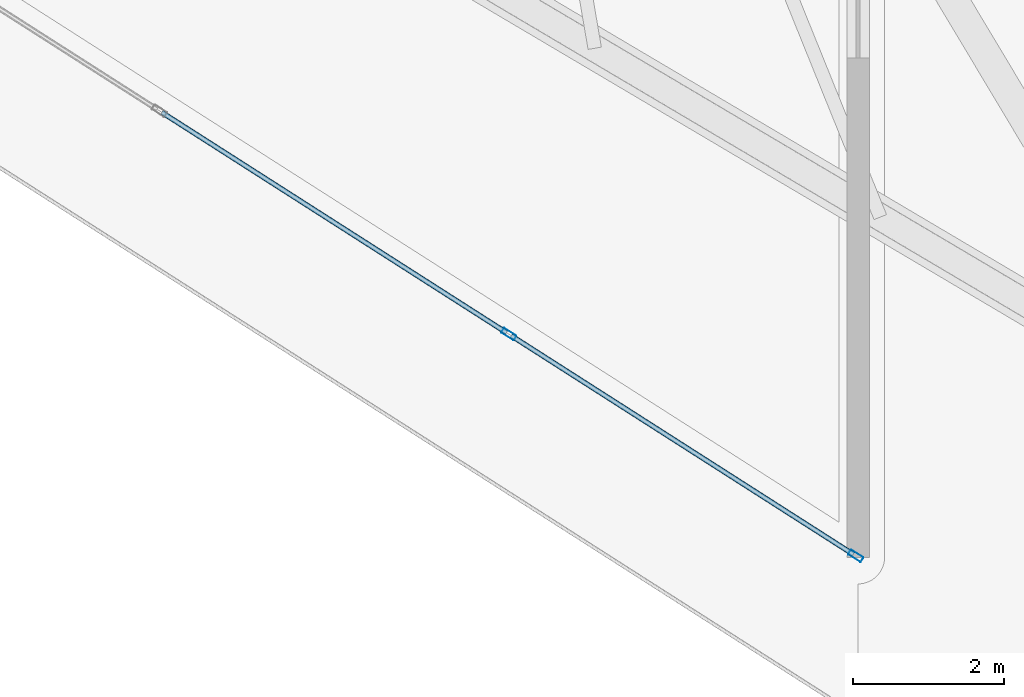
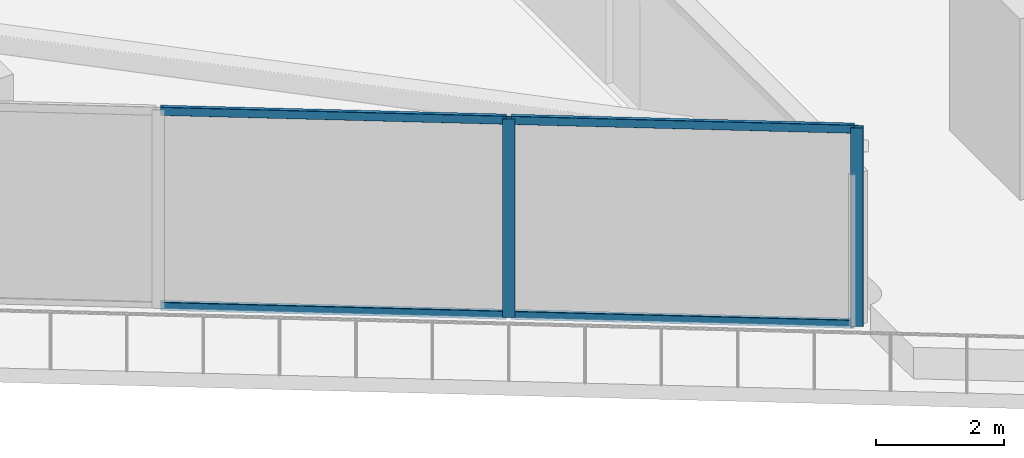
# One storey, part 8 of 43: 6 members, 1 element without a shape of its own.
"""IFC4 building model written with IfcOpenShell, lengths in metres."""

from ifc_helpers import new_model, si_unit, direction, frame, origin, origin_2d, place, context, subcontext, project, spatial, hollow_rectangle, extrude, material, layer, layer_set, material_profile, profile_set, type_object, element, aggregate, save


model = new_model("IFC4")

# Units and contexts
model_context = context("Model", 3, precision=1e-05, world=origin(), true_north=direction((0.0, 1.0)))
body_context = subcontext(model_context, "Body", "Model", "MODEL_VIEW")
ifc_project = project(units=[si_unit("LENGTHUNIT", "METRE"), si_unit("AREAUNIT", "SQUARE_METRE"), si_unit("VOLUMEUNIT", "CUBIC_METRE"), si_unit("PLANEANGLEUNIT", "RADIAN"), si_unit("MASSUNIT", "GRAM", prefix="KILO")], contexts=[model_context])

# Site, building, storey
site_placement = place(None, origin())
site = spatial("IfcSite", under=ifc_project, at=site_placement, CompositionType="ELEMENT")
building_placement = place(site_placement, origin())
building = spatial("IfcBuilding", under=site, at=building_placement, Name="Qorvath Tower", CompositionType="ELEMENT")
storey_placement = place(building_placement, frame((0.0, 0.0, 150.300048828125)))
storey = spatial("IfcBuildingStorey", under=building, at=storey_placement, Name="L34", CompositionType="ELEMENT", Elevation=150.300048828125)

# Curtain wall, members
ifc_material_1 = material(Name="Anodised aluminium and triple low-E glass", Category="aluminium")
ifc_layer = layer(ifc_material_1, 0.179931640625)
ifc_layer_set = layer_set([ifc_layer], Name="CW-SYS-5")
curtain_wall_type = type_object("IfcCurtainWallType", Name="CW-SYS-5", PredefinedType="NOTDEFINED", material=ifc_layer_set)
curtain_wall_placement = place(storey_placement, origin())
curtain_wall = element("IfcCurtainWall", 1, at=curtain_wall_placement, inside=storey, type_object=curtain_wall_type, Name="Curtain Wall CW-5 CW-T-L34-18.1", PredefinedType="NOTDEFINED")
ifc_material_2 = material(Name="Anodised aluminium 6063-T6", Category="aluminium")
ifc_material_profile_1 = material_profile(ifc_material_2, hollow_rectangle(XDim=0.074951171875, YDim=0.199951171875, WallThickness=0.00390625, InnerFilletRadius=0.00390625, OuterFilletRadius=0.008056640625, at=origin_2d()), Name="CWM 200x75")
ifc_profile_set_1 = profile_set([ifc_material_profile_1], Name="Anodised aluminium 6063-T6")
member_type_1 = type_object("IfcMemberType", Name="CWM-200", PredefinedType="MULLION", material=ifc_profile_set_1)
member_1_placement = place(storey_placement, frame((-24.396484375, -24.339111328125, 0.0), z_axis=(0.0, 0.0, 1.0), x_axis=(0.538536247531, 0.842602343989, 0.0)))
member_1 = element("IfcMember", 2, at=member_1_placement, type_object=member_type_1, Name="CW-5 mullion 8", PredefinedType="MULLION", context=body_context, shape_type="SweptSolid", body=[
    extrude(hollow_rectangle(XDim=0.074951171875, YDim=0.199951171875, WallThickness=0.00390625, InnerFilletRadius=0.00390625, OuterFilletRadius=0.008056640625, at=origin_2d()), origin(), (0.0, 0.0, 1.0), 3.780029296875),
])
member_2_placement = place(storey_placement, frame((-19.8154296875, -27.266845703125, 0.0), z_axis=(0.0, 0.0, 1.0), x_axis=(0.538536247531, 0.842602343989, 0.0)))
member_2 = element("IfcMember", 3, at=member_2_placement, type_object=member_type_1, Name="CW-5 mullion 9", PredefinedType="MULLION", context=body_context, shape_type="SweptSolid", body=[
    extrude(hollow_rectangle(XDim=0.074951171875, YDim=0.199951171875, WallThickness=0.00390625, InnerFilletRadius=0.00390625, OuterFilletRadius=0.008056640625, at=origin_2d()), origin(), (0.0, 0.0, 1.0), 3.780029296875),
])
ifc_material_3 = material(Name="Anodised aluminium 6063-T6", Category="aluminium")
ifc_material_profile_2 = material_profile(ifc_material_3, hollow_rectangle(XDim=0.06494140625, YDim=0.159912109375, WallThickness=0.00341796875, InnerFilletRadius=0.00341796875, OuterFilletRadius=0.007080078125, at=origin_2d()), Name="CWT 160x65")
ifc_profile_set_2 = profile_set([ifc_material_profile_2], Name="Anodised aluminium 6063-T6")
member_type_2 = type_object("IfcMemberType", Name="CWT-160", PredefinedType="USERDEFINED", material=ifc_profile_set_2)
member_3_placement = place(storey_placement, frame((-28.977294921875, -21.411376953125, 0.032470703125), z_axis=(0.842615326436, -0.538515934449, 0.0), x_axis=(0.538515934449, 0.842615326436, 0.0)))
member_3 = element("IfcMember", 4, at=member_3_placement, type_object=member_type_2, Name="CW-5 transom 7.1", ObjectType="TRANSOM", PredefinedType="USERDEFINED", context=body_context, shape_type="SweptSolid", body=[
    extrude(hollow_rectangle(XDim=0.06494140625, YDim=0.159912109375, WallThickness=0.00341796875, InnerFilletRadius=0.00341796875, OuterFilletRadius=0.007080078125, at=origin_2d()), origin(), (0.0, 0.0, 1.0), 5.39892578125),
])
member_4_placement = place(storey_placement, frame((-28.977294921875, -21.411376953125, 3.74755859375), z_axis=(0.842615326436, -0.538515934449, 0.0), x_axis=(0.538515934449, 0.842615326436, 0.0)))
member_4 = element("IfcMember", 5, at=member_4_placement, type_object=member_type_2, Name="CW-5 transom 7.2", ObjectType="TRANSOM", PredefinedType="USERDEFINED", context=body_context, shape_type="SweptSolid", body=[
    extrude(hollow_rectangle(XDim=0.06494140625, YDim=0.159912109375, WallThickness=0.00341796875, InnerFilletRadius=0.00341796875, OuterFilletRadius=0.007080078125, at=origin_2d()), origin(), (0.0, 0.0, 1.0), 5.39892578125),
])
member_5_placement = place(storey_placement, frame((-24.36474609375, -24.359375, 0.032470703125), z_axis=(0.842592946835, -0.538550950184, 0.0), x_axis=(0.538550950184, 0.842592946835, 0.0)))
member_5 = element("IfcMember", 6, at=member_5_placement, type_object=member_type_2, Name="CW-5 transom 8.1", ObjectType="TRANSOM", PredefinedType="USERDEFINED", context=body_context, shape_type="SweptSolid", body=[
    extrude(hollow_rectangle(XDim=0.06494140625, YDim=0.159912109375, WallThickness=0.00341796875, InnerFilletRadius=0.00341796875, OuterFilletRadius=0.007080078125, at=origin_2d()), origin(), (0.0, 0.0, 1.0), 5.361572265625),
])
member_6_placement = place(storey_placement, frame((-24.36474609375, -24.359375, 3.74755859375), z_axis=(0.842592946835, -0.538550950184, 0.0), x_axis=(0.538550950184, 0.842592946835, 0.0)))
member_6 = element("IfcMember", 7, at=member_6_placement, type_object=member_type_2, Name="CW-5 transom 8.2", ObjectType="TRANSOM", PredefinedType="USERDEFINED", context=body_context, shape_type="SweptSolid", body=[
    extrude(hollow_rectangle(XDim=0.06494140625, YDim=0.159912109375, WallThickness=0.00341796875, InnerFilletRadius=0.00341796875, OuterFilletRadius=0.007080078125, at=origin_2d()), origin(), (0.0, 0.0, 1.0), 5.361572265625),
])
aggregate(curtain_wall, [member_1, member_2, member_3, member_4, member_5, member_6])

save(model, "model.ifc")
